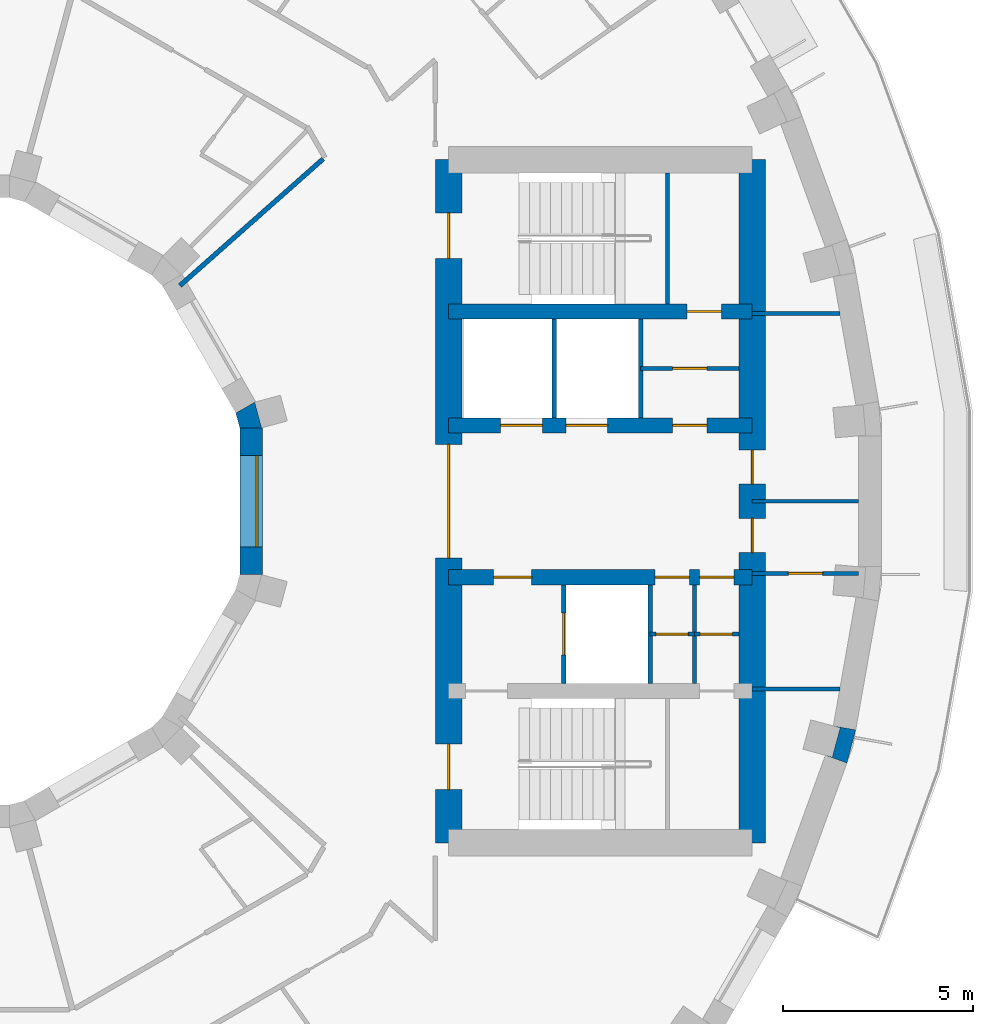
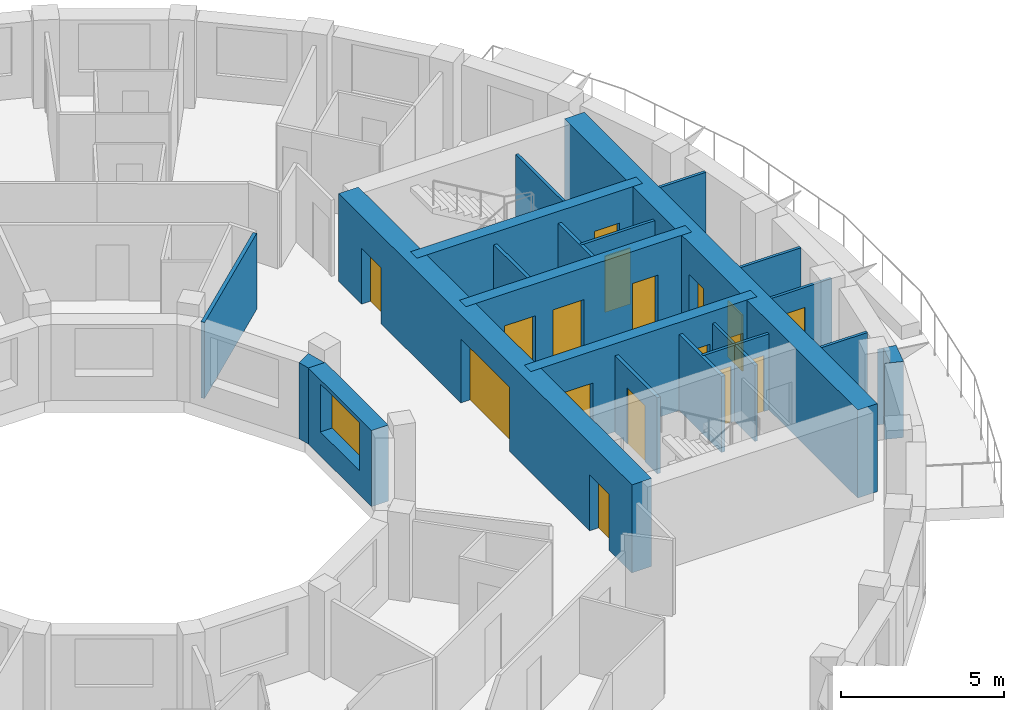
# One storey, part 6 of 11: 22 walls, 17 doors, 1 window, 18 openings.
"""IFC4 building model written with IfcOpenShell, lengths in metres."""

from ifc_helpers import new_model, si_unit, direction, frame, frame_2d, origin, place, context, subcontext, project, spatial, polyline, rectangle, outline, extrude, material, layer, layer_set, type_object, element, fill, save


model = new_model("IFC4")

# Units and contexts
model_context = context("Model", 3, precision=1e-05, world=origin(), true_north=direction((0.0, 1.0)))
body_context = subcontext(model_context, "Body", "Model", "MODEL_VIEW")
ifc_project = project(units=[si_unit("LENGTHUNIT", "METRE"), si_unit("AREAUNIT", "SQUARE_METRE"), si_unit("VOLUMEUNIT", "CUBIC_METRE"), si_unit("PLANEANGLEUNIT", "RADIAN"), si_unit("MASSUNIT", "GRAM", prefix="KILO")], contexts=[model_context])

# Site, building, storey
site_placement = place(None, origin())
site = spatial("IfcSite", under=ifc_project, at=site_placement, CompositionType="ELEMENT")
building_placement = place(site_placement, origin())
building = spatial("IfcBuilding", under=site, at=building_placement, Name="Saqina Gate Tower", CompositionType="ELEMENT")
storey_placement = place(building_placement, frame((0.0, 0.0, 180.60009765625)))
storey = spatial("IfcBuildingStorey", under=building, at=storey_placement, Name="L51", CompositionType="ELEMENT", Elevation=180.60009765625)

# Walls
ifc_material_1 = material(Name="Brick masonry (buff)", Category="masonry")
wall_type_1 = type_object("IfcWallType", Name="BRICK PIER COPING BUFF", PredefinedType="SOLIDWALL", material=ifc_material_1)
wall_1_placement = place(storey_placement, origin())
element("IfcWall", 1, at=wall_1_placement, inside=storey, type_object=wall_type_1, Name="Pier cap L51 column 35", PredefinedType="SOLIDWALL", context=body_context, shape_type="SweptSolid", body=[
    extrude(outline(polyline([(24.22705078125, -6.0234375), (23.635986328125, -5.919189453125), (23.81689453125, -5.967529296875), (23.610107421875, -6.740478515625), (23.428955078125, -6.69189453125), (23.992919921875, -6.897216796875), (24.22705078125, -6.0234375)])), origin(), (0.0, 0.0, 1.0), 2.849853515625),
])
ifc_material_2 = material(Name="Gypsum board on steel studs", Category="steel")
ifc_layer_1 = layer(ifc_material_2, 0.10009765625)
ifc_layer_set_1 = layer_set([ifc_layer_1], Name="CORE PARTITION")
wall_type_2 = type_object("IfcWallType", Name="CORE PARTITION", PredefinedType="PARTITIONING", material=ifc_layer_set_1)
for number, where, z_axis, x_axis, name in (
    (2, (21.5, 4.949951171875, 0.0), (0.0, 0.0, 1.0), (1.0, 0.0, 0.0), "L51-CP-E01"),
    (3, (21.5, -4.949951171875, 0.0), (0.0, 0.0, 1.0), (1.0, 0.0, 0.0), "L51-CP-E02"),
):
    element("IfcWall", number, at=place(storey_placement, frame(where, z_axis=z_axis, x_axis=x_axis)), inside=storey, type_object=wall_type_2, Name=name, PredefinedType="PARTITIONING", context=body_context, shape_type="SweptSolid", body=[
        extrude(rectangle(XDim=2.306884765625, YDim=0.10009765625, at=frame_2d((1.1533203125, 0.0))), origin(), (0.0, 0.0, 1.0), 2.849853515625),
    ])

# Wall, opening, door
wall_2_placement = place(storey_placement, frame((21.5, -1.89990234375, 0.0), z_axis=(0.0, 0.0, 1.0), x_axis=(1.0, 0.0, 0.0)))
wall_2 = element("IfcWall", 4, at=wall_2_placement, inside=storey, type_object=wall_type_2, Name="L51-CP-E03", PredefinedType="PARTITIONING", context=body_context, shape_type="SweptSolid", body=[
    extrude(rectangle(XDim=2.804931640625, YDim=0.10009765625, at=frame_2d((1.40234375, 0.0))), origin(), (0.0, 0.0, 1.0), 2.849853515625),
])
opening_1_placement = place(wall_2_placement, frame((0.952392578125, 0.0, 0.0)))
opening_1 = element("IfcOpeningElement", 5, at=opening_1_placement, cuts=wall_2, Name="Opening G15-D95", PredefinedType="OPENING", context=body_context, shape_type="SweptSolid", body=[
    extrude(rectangle(XDim=0.89990234375, YDim=2.10009765625, at=frame_2d((0.449951171875, 1.050048828125))), frame((0.0, 0.06201171875, 0.0), z_axis=(0.0, -1.0, 0.0), x_axis=(1.0, 0.0, 0.0)), (0.0, 0.0, 1.0), 0.1240234375),
])
ifc_material_3 = material(Name="Steel-framed fire door leaf, EI 60", Category="steel")
door_type_1 = type_object("IfcDoorType", Name="SERVICE ROOM DOOR 900", OperationType="SINGLE_SWING_LEFT", PredefinedType="DOOR", material=ifc_material_3)
door_1_placement = place(opening_1_placement, frame((0.89990234375, 0.0, 0.0), z_axis=(0.0, 0.0, 1.0), x_axis=(-1.0, 0.0, 0.0)))
door_1 = element("IfcDoor", 6, at=door_1_placement, inside=storey, type_object=door_type_1, Name="L51-CD-E06", OperationType="SINGLE_SWING_RIGHT", OverallHeight=2.10009765625, OverallWidth=0.89990234375, PredefinedType="DOOR", context=body_context, shape_type="SweptSolid", body=[
    extrude(rectangle(XDim=0.89990234375, YDim=2.10009765625, at=frame_2d((0.449951171875, 1.050048828125))), frame((0.0, 0.02490234375, 0.0), z_axis=(0.0, -1.0, 0.0), x_axis=(1.0, 0.0, 0.0)), (0.0, 0.0, 1.0), 0.050048828125),
])
fill(opening_1, door_1)

# Walls
wall_3_placement = place(storey_placement, frame((21.5, 0.0, 0.0), z_axis=(0.0, 0.0, 1.0), x_axis=(1.0, 0.0, 0.0)))
element("IfcWall", 7, at=wall_3_placement, inside=storey, type_object=wall_type_2, Name="L51-CP-E04", PredefinedType="PARTITIONING", context=body_context, shape_type="SweptSolid", body=[
    extrude(rectangle(XDim=2.804931640625, YDim=0.10009765625, at=frame_2d((1.40234375, 0.0))), origin(), (0.0, 0.0, 1.0), 2.849853515625),
])
wall_4_placement = place(storey_placement, frame((19.97998046875, -4.800048828125, 0.0), z_axis=(0.0, 0.0, 1.0), x_axis=(0.0, 1.0, 0.0)))
element("IfcWall", 8, at=wall_4_placement, inside=storey, type_object=wall_type_2, Name="L51-CP-E09", PredefinedType="PARTITIONING", context=body_context, shape_type="SweptSolid", body=[
    extrude(rectangle(XDim=2.60009765625, YDim=0.10009765625, at=frame_2d((1.300048828125, 0.0))), origin(), (0.0, 0.0, 1.0), 2.849853515625),
])

# Wall, opening, door
wall_5_placement = place(storey_placement, frame((18.56005859375, 3.5, 0.0), z_axis=(0.0, 0.0, 1.0), x_axis=(1.0, 0.0, 0.0)))
wall_5 = element("IfcWall", 9, at=wall_5_placement, inside=storey, type_object=wall_type_2, Name="L51-CP-E10", PredefinedType="PARTITIONING", context=body_context, shape_type="SweptSolid", body=[
    extrude(rectangle(XDim=2.58984375, YDim=0.10009765625, at=frame_2d((1.294921875, 0.0))), origin(), (0.0, 0.0, 1.0), 2.849853515625),
])
opening_2_placement = place(wall_5_placement, frame((0.844970703125, 0.0, 0.0)))
opening_2 = element("IfcOpeningElement", 10, at=opening_2_placement, cuts=wall_5, Name="Opening G15-D97", PredefinedType="OPENING", context=body_context, shape_type="SweptSolid", body=[
    extrude(rectangle(XDim=0.89990234375, YDim=2.10009765625, at=frame_2d((0.449951171875, 1.050048828125))), frame((0.0, 0.06201171875, 0.0), z_axis=(0.0, -1.0, 0.0), x_axis=(1.0, 0.0, 0.0)), (0.0, 0.0, 1.0), 0.1240234375),
])
door_2_placement = place(opening_2_placement, origin())
door_2 = element("IfcDoor", 11, at=door_2_placement, inside=storey, type_object=door_type_1, Name="L51-CD-E08", OperationType="SINGLE_SWING_RIGHT", OverallHeight=2.10009765625, OverallWidth=0.89990234375, PredefinedType="DOOR", context=body_context, shape_type="SweptSolid", body=[
    extrude(rectangle(XDim=0.89990234375, YDim=2.10009765625, at=frame_2d((0.449951171875, 1.050048828125))), frame((0.0, 0.02490234375, 0.0), z_axis=(0.0, -1.0, 0.0), x_axis=(1.0, 0.0, 0.0)), (0.0, 0.0, 1.0), 0.050048828125),
])
fill(opening_2, door_2)

wall_6_placement = place(storey_placement, frame((18.81005859375, -3.5, 0.0), z_axis=(0.0, 0.0, 1.0), x_axis=(1.0, 0.0, 0.0)))
wall_6 = element("IfcWall", 12, at=wall_6_placement, inside=storey, type_object=wall_type_2, Name="L51-CP-E11", PredefinedType="PARTITIONING", context=body_context, shape_type="SweptSolid", body=[
    extrude(rectangle(XDim=1.169921875, YDim=0.10009765625, at=frame_2d((0.5849609375, 0.0))), origin(), (0.0, 0.0, 1.0), 2.849853515625),
])
opening_3_placement = place(wall_6_placement, frame((0.14990234375, 0.0, 0.0)))
opening_3 = element("IfcOpeningElement", 13, at=opening_3_placement, cuts=wall_6, Name="Opening G15-D99", PredefinedType="OPENING", context=body_context, shape_type="SweptSolid", body=[
    extrude(rectangle(XDim=0.85009765625, YDim=2.10009765625, at=frame_2d((0.425048828125, 1.050048828125))), frame((0.0, 0.06201171875, 0.0), z_axis=(0.0, -1.0, 0.0), x_axis=(1.0, 0.0, 0.0)), (0.0, 0.0, 1.0), 0.1240234375),
])
ifc_material_4 = material(Name="Steel-framed fire door leaf, EI 60", Category="steel")
door_type_2 = type_object("IfcDoorType", Name="SERVICE ROOM DOOR 850", OperationType="SINGLE_SWING_LEFT", PredefinedType="DOOR", material=ifc_material_4)
door_3_placement = place(opening_3_placement, frame((0.85009765625, 0.0, 0.0), z_axis=(0.0, 0.0, 1.0), x_axis=(-1.0, 0.0, 0.0)))
door_3 = element("IfcDoor", 14, at=door_3_placement, inside=storey, type_object=door_type_2, Name="L51-CD-E10", OperationType="SINGLE_SWING_RIGHT", OverallHeight=2.10009765625, OverallWidth=0.85009765625, PredefinedType="DOOR", context=body_context, shape_type="SweptSolid", body=[
    extrude(rectangle(XDim=0.85009765625, YDim=2.10009765625, at=frame_2d((0.425048828125, 1.050048828125))), frame((0.0, 0.02490234375, 0.0), z_axis=(0.0, -1.0, 0.0), x_axis=(1.0, 0.0, 0.0)), (0.0, 0.0, 1.0), 0.050048828125),
])
fill(opening_3, door_3)

wall_7_placement = place(storey_placement, frame((19.97998046875, -3.5, 0.0), z_axis=(0.0, 0.0, 1.0), x_axis=(1.0, 0.0, 0.0)))
wall_7 = element("IfcWall", 15, at=wall_7_placement, inside=storey, type_object=wall_type_2, Name="L51-CP-E12", PredefinedType="PARTITIONING", context=body_context, shape_type="SweptSolid", body=[
    extrude(rectangle(XDim=1.169921875, YDim=0.10009765625, at=frame_2d((0.5849609375, 0.0))), origin(), (0.0, 0.0, 1.0), 2.849853515625),
])
opening_4_placement = place(wall_7_placement, frame((0.14990234375, 0.0, 0.0)))
opening_4 = element("IfcOpeningElement", 16, at=opening_4_placement, cuts=wall_7, Name="Opening G15-D100", PredefinedType="OPENING", context=body_context, shape_type="SweptSolid", body=[
    extrude(rectangle(XDim=0.85009765625, YDim=2.10009765625, at=frame_2d((0.425048828125, 1.050048828125))), frame((0.0, 0.06201171875, 0.0), z_axis=(0.0, -1.0, 0.0), x_axis=(1.0, 0.0, 0.0)), (0.0, 0.0, 1.0), 0.1240234375),
])
door_4_placement = place(opening_4_placement, frame((0.85009765625, 0.0, 0.0), z_axis=(0.0, 0.0, 1.0), x_axis=(-1.0, 0.0, 0.0)))
door_4 = element("IfcDoor", 17, at=door_4_placement, inside=storey, type_object=door_type_2, Name="L51-CD-E11", OperationType="SINGLE_SWING_LEFT", OverallHeight=2.10009765625, OverallWidth=0.85009765625, PredefinedType="DOOR", context=body_context, shape_type="SweptSolid", body=[
    extrude(rectangle(XDim=0.85009765625, YDim=2.10009765625, at=frame_2d((0.425048828125, 1.050048828125))), frame((0.0, 0.02490234375, 0.0), z_axis=(0.0, -1.0, 0.0), x_axis=(1.0, 0.0, 0.0)), (0.0, 0.0, 1.0), 0.050048828125),
])
fill(opening_4, door_4)

# Wall, opening, window
ifc_material_5 = material(Name="Glazed ceramic tile", Category="ceramic")
ifc_layer_2 = layer(ifc_material_5, 0.60009765625)
ifc_layer_set_2 = layer_set([ifc_layer_2], Name="IW-TILE")
wall_type_3 = type_object("IfcWallType", Name="IW-TILE", PredefinedType="SOLIDWALL", material=ifc_layer_set_2)
wall_8_placement = place(storey_placement, frame((8.300048828125, -1.934814453125, 0.0), z_axis=(0.0, 0.0, 1.0), x_axis=(0.0, 1.0, 0.0)))
wall_8 = element("IfcWall", 18, at=wall_8_placement, inside=storey, type_object=wall_type_3, Name="Well wall L51 facet 12", PredefinedType="SOLIDWALL", context=body_context, shape_type="SweptSolid", body=[
    extrude(rectangle(XDim=3.86962890625, YDim=0.60009765625, at=frame_2d((1.934814453125, 0.0))), origin(), (0.0, 0.0, 1.0), 2.849853515625),
])
opening_5_placement = place(wall_8_placement, frame((0.73486328125, 0.0, 0.89990234375)))
opening_5 = element("IfcOpeningElement", 19, at=opening_5_placement, cuts=wall_8, Name="Opening G15-W37", PredefinedType="OPENING", context=body_context, shape_type="SweptSolid", body=[
    extrude(rectangle(XDim=2.39990234375, YDim=1.800048828125, at=frame_2d((1.199951171875, 0.89990234375))), frame((0.0, 0.31201171875, 0.0), z_axis=(0.0, -1.0, 0.0), x_axis=(1.0, 0.0, 0.0)), (0.0, 0.0, 1.0), 0.6240234375),
])
ifc_material_6 = material(Name="Aluminium glazing", Category="aluminium")
window_type = type_object("IfcWindowType", Name="WN-W", PartitioningType="SINGLE_PANEL", PredefinedType="WINDOW", material=ifc_material_6)
window_placement = place(opening_5_placement, origin())
window = element("IfcWindow", 20, at=window_placement, inside=storey, type_object=window_type, Name="Well window L51 facet 12", OverallHeight=1.800048828125, OverallWidth=2.39990234375, PartitioningType="SINGLE_PANEL", PredefinedType="WINDOW", context=body_context, shape_type="SweptSolid", body=[
    extrude(rectangle(XDim=2.39990234375, YDim=1.800048828125, at=frame_2d((1.199951171875, 0.89990234375))), frame((0.0, -0.119873046875, 0.0), z_axis=(0.0, -1.0, 0.0), x_axis=(1.0, 0.0, 0.0)), (0.0, 0.0, 1.0), 0.06005859375),
])
fill(opening_5, window)

# Walls
ifc_material_7 = material(Name="Gypsum board on steel studs, 125 mm, fire rated", Category="steel")
ifc_layer_3 = layer(ifc_material_7, 0.125)
ifc_layer_set_3 = layer_set([ifc_layer_3], Name="PARTITION EI 30 125")
wall_type_4 = type_object("IfcWallType", Name="PARTITION EI 30 125", PredefinedType="PARTITIONING", material=ifc_layer_set_3)
wall_9_placement = place(storey_placement, frame((6.419921875, 5.679931640625, 0.0), z_axis=(0.0, 0.0, 1.0), x_axis=(0.74896790207, 0.662606279527, 0.0)))
element("IfcWall", 21, at=wall_9_placement, inside=storey, type_object=wall_type_4, Name="PARTITION PW1-32", PredefinedType="PARTITIONING", context=body_context, shape_type="SweptSolid", body=[
    extrude(rectangle(XDim=5.04052734375, YDim=0.125, at=frame_2d((2.520263671875, 0.0))), origin(), (0.0, 0.0, 1.0), 2.849853515625),
])
ifc_material_8 = material(Name="Autoclaved aerated concrete block", Category="concrete")
ifc_layer_4 = layer(ifc_material_8, 0.1201171875)
ifc_layer_set_4 = layer_set([ifc_layer_4], Name="SHAFT PARTITION")
wall_type_5 = type_object("IfcWallType", Name="SHAFT PARTITION", PredefinedType="PARTITIONING", material=ifc_layer_set_4)
for number, where, z_axis, x_axis, name in (
    (22, (16.280029296875, 2.199951171875, 0.0), (0.0, 0.0, 1.0), (0.0, 1.0, 0.0), "L51-CP-E05"),
    (23, (18.56005859375, 2.199951171875, 0.0), (0.0, 0.0, 1.0), (0.0, 1.0, 0.0), "L51-CP-E06"),
):
    element("IfcWall", number, at=place(storey_placement, frame(where, z_axis=z_axis, x_axis=x_axis)), inside=storey, type_object=wall_type_5, Name=name, PredefinedType="PARTITIONING", context=body_context, shape_type="SweptSolid", body=[
        extrude(rectangle(XDim=2.60009765625, YDim=0.1201171875, at=frame_2d((1.300048828125, 0.0))), origin(), (0.0, 0.0, 1.0), 2.849853515625),
    ])

# Wall, opening, door
wall_10_placement = place(storey_placement, frame((16.530029296875, -4.800048828125, 0.0), z_axis=(0.0, 0.0, 1.0), x_axis=(0.0, 1.0, 0.0)))
wall_10 = element("IfcWall", 24, at=wall_10_placement, inside=storey, type_object=wall_type_5, Name="L51-CP-E07", PredefinedType="PARTITIONING", context=body_context, shape_type="SweptSolid", body=[
    extrude(rectangle(XDim=2.60009765625, YDim=0.1201171875, at=frame_2d((1.300048828125, 0.0))), origin(), (0.0, 0.0, 1.0), 2.849853515625),
])
opening_6_placement = place(wall_10_placement, frame((0.75, 0.0, 0.0)))
opening_6 = element("IfcOpeningElement", 25, at=opening_6_placement, cuts=wall_10, Name="Opening G15-LD3", PredefinedType="OPENING", context=body_context, shape_type="SweptSolid", body=[
    extrude(rectangle(XDim=1.10009765625, YDim=2.10009765625, at=frame_2d((0.550048828125, 1.050048828125))), frame((0.0, 0.072021484375, 0.0), z_axis=(0.0, -1.0, 0.0), x_axis=(1.0, 0.0, 0.0)), (0.0, 0.0, 1.0), 0.14404296875),
])
ifc_material_9 = material(Name="Stainless steel", Category="steel")
door_type_3 = type_object("IfcDoorType", Name="LANDING DOOR", OperationType="DOUBLE_DOOR_SLIDING", PredefinedType="DOOR", material=ifc_material_9)
door_5_placement = place(opening_6_placement, origin())
door_5 = element("IfcDoor", 26, at=door_5_placement, inside=storey, type_object=door_type_3, Name="LANDING DOOR FF1", OperationType="DOUBLE_DOOR_SLIDING", OverallHeight=2.10009765625, OverallWidth=1.10009765625, PredefinedType="DOOR", context=body_context, shape_type="SweptSolid", body=[
    extrude(rectangle(XDim=1.10009765625, YDim=2.10009765625, at=frame_2d((0.550048828125, 1.050048828125))), frame((0.0, 0.02490234375, 0.0), z_axis=(0.0, -1.0, 0.0), x_axis=(1.0, 0.0, 0.0)), (0.0, 0.0, 1.0), 0.050048828125),
])
fill(opening_6, door_5)

# Walls
wall_11_placement = place(storey_placement, frame((18.81005859375, -4.800048828125, 0.0), z_axis=(0.0, 0.0, 1.0), x_axis=(0.0, 1.0, 0.0)))
element("IfcWall", 27, at=wall_11_placement, inside=storey, type_object=wall_type_5, Name="L51-CP-E08", PredefinedType="PARTITIONING", context=body_context, shape_type="SweptSolid", body=[
    extrude(rectangle(XDim=2.60009765625, YDim=0.1201171875, at=frame_2d((1.300048828125, 0.0))), origin(), (0.0, 0.0, 1.0), 2.849853515625),
])
ifc_material_10 = material(Name="Autoclaved aerated concrete block", Category="concrete")
ifc_layer_5 = layer(ifc_material_10, 0.10009765625)
ifc_layer_set_5 = layer_set([ifc_layer_5], Name="STAIR ENCLOSURE WALL")
wall_type_6 = type_object("IfcWallType", Name="STAIR ENCLOSURE WALL", PredefinedType="PARTITIONING", material=ifc_layer_set_5)
wall_12_placement = place(storey_placement, frame((19.27001953125, 5.199951171875, 0.0), z_axis=(0.0, 0.0, 1.0), x_axis=(0.0, 1.0, 0.0)))
element("IfcWall", 28, at=wall_12_placement, inside=storey, type_object=wall_type_6, Name="L51-CP-E13", PredefinedType="PARTITIONING", context=body_context, shape_type="SweptSolid", body=[
    extrude(rectangle(XDim=3.449951171875, YDim=0.10009765625, at=frame_2d((1.72509765625, 0.0))), origin(), (0.0, 0.0, 1.0), 2.849853515625),
])

# Wall, opening, door
ifc_material_11 = material(Name="Concrete C60/75", Category="concrete")
ifc_layer_6 = layer(ifc_material_11, 0.39990234375)
ifc_layer_set_6 = layer_set([ifc_layer_6], Name="Concrete C60/75")
wall_type_7 = type_object("IfcWallType", Name="STR-CORE WALL-C-I", PredefinedType="SHEAR", material=ifc_layer_set_6)
wall_13_placement = place(storey_placement, frame((13.5, 5.0, 0.0), z_axis=(0.0, 0.0, 1.0), x_axis=(1.0, 0.0, 0.0)))
wall_13 = element("IfcWall", 29, at=wall_13_placement, inside=storey, type_object=wall_type_7, Name="CORE WALL L51 E-X1", PredefinedType="SHEAR", context=body_context, shape_type="SweptSolid", body=[
    extrude(rectangle(XDim=8.0, YDim=0.39990234375, at=frame_2d((4.0, 0.0))), origin(), (0.0, 0.0, 1.0), 3.2998046875),
])
opening_7_placement = place(wall_13_placement, frame((6.284912109375, 0.0, 0.0)))
opening_7 = element("IfcOpeningElement", 30, at=opening_7_placement, cuts=wall_13, Name="Opening G15-D98", PredefinedType="OPENING", context=body_context, shape_type="SweptSolid", body=[
    extrude(rectangle(XDim=0.89990234375, YDim=2.10009765625, at=frame_2d((0.449951171875, 1.050048828125))), frame((0.0, 0.2119140625, 0.0), z_axis=(0.0, -1.0, 0.0), x_axis=(1.0, 0.0, 0.0)), (0.0, 0.0, 1.0), 0.423828125),
])
door_6_placement = place(opening_7_placement, origin())
door_6 = element("IfcDoor", 31, at=door_6_placement, inside=storey, type_object=door_type_1, Name="L51-CD-E09", OperationType="SINGLE_SWING_RIGHT", OverallHeight=2.10009765625, OverallWidth=0.89990234375, PredefinedType="DOOR", context=body_context, shape_type="SweptSolid", body=[
    extrude(rectangle(XDim=0.89990234375, YDim=2.10009765625, at=frame_2d((0.449951171875, 1.050048828125))), frame((0.0, 0.02490234375, 0.0), z_axis=(0.0, -1.0, 0.0), x_axis=(1.0, 0.0, 0.0)), (0.0, 0.0, 1.0), 0.050048828125),
])
fill(opening_7, door_6)

# Wall, openings, doors
wall_14_placement = place(storey_placement, frame((13.5, 2.0, 0.0), z_axis=(0.0, 0.0, 1.0), x_axis=(1.0, 0.0, 0.0)))
wall_14 = element("IfcWall", 32, at=wall_14_placement, inside=storey, type_object=wall_type_7, Name="CORE WALL L51 E-L1", PredefinedType="SHEAR", context=body_context, shape_type="SweptSolid", body=[
    extrude(rectangle(XDim=8.0, YDim=0.39990234375, at=frame_2d((4.0, 0.0))), origin(), (0.0, 0.0, 1.0), 3.2998046875),
])
opening_8_placement = place(wall_14_placement, frame((1.3701171875, 0.0, 0.0)))
opening_8 = element("IfcOpeningElement", 33, at=opening_8_placement, cuts=wall_14, Name="Opening G15-LD1", PredefinedType="OPENING", context=body_context, shape_type="SweptSolid", body=[
    extrude(rectangle(XDim=1.10009765625, YDim=2.10009765625, at=frame_2d((0.550048828125, 1.050048828125))), frame((0.0, 0.2119140625, 0.0), z_axis=(0.0, -1.0, 0.0), x_axis=(1.0, 0.0, 0.0)), (0.0, 0.0, 1.0), 0.423828125),
])
opening_9_placement = place(wall_14_placement, frame((3.090087890625, 0.0, 0.0)))
opening_9 = element("IfcOpeningElement", 34, at=opening_9_placement, cuts=wall_14, Name="Opening G15-LD2", PredefinedType="OPENING", context=body_context, shape_type="SweptSolid", body=[
    extrude(rectangle(XDim=1.10009765625, YDim=2.10009765625, at=frame_2d((0.550048828125, 1.050048828125))), frame((0.0, 0.2119140625, 0.0), z_axis=(0.0, -1.0, 0.0), x_axis=(1.0, 0.0, 0.0)), (0.0, 0.0, 1.0), 0.423828125),
])
opening_10_placement = place(wall_14_placement, frame((5.905029296875, 0.0, 0.0)))
opening_10 = element("IfcOpeningElement", 35, at=opening_10_placement, cuts=wall_14, Name="Opening G15-D90", PredefinedType="OPENING", context=body_context, shape_type="SweptSolid", body=[
    extrude(rectangle(XDim=0.89990234375, YDim=2.10009765625, at=frame_2d((0.449951171875, 1.050048828125))), frame((0.0, 0.2119140625, 0.0), z_axis=(0.0, -1.0, 0.0), x_axis=(1.0, 0.0, 0.0)), (0.0, 0.0, 1.0), 0.423828125),
])
door_7_placement = place(opening_8_placement, origin())
door_7 = element("IfcDoor", 36, at=door_7_placement, inside=storey, type_object=door_type_3, Name="LANDING DOOR HR1", OperationType="DOUBLE_DOOR_SLIDING", OverallHeight=2.10009765625, OverallWidth=1.10009765625, PredefinedType="DOOR", context=body_context, shape_type="SweptSolid", body=[
    extrude(rectangle(XDim=1.10009765625, YDim=2.10009765625, at=frame_2d((0.550048828125, 1.050048828125))), frame((0.0, 0.02490234375, 0.0), z_axis=(0.0, -1.0, 0.0), x_axis=(1.0, 0.0, 0.0)), (0.0, 0.0, 1.0), 0.050048828125),
])
fill(opening_8, door_7)
door_8_placement = place(opening_9_placement, origin())
door_8 = element("IfcDoor", 37, at=door_8_placement, inside=storey, type_object=door_type_3, Name="LANDING DOOR HR2", OperationType="DOUBLE_DOOR_SLIDING", OverallHeight=2.10009765625, OverallWidth=1.10009765625, PredefinedType="DOOR", context=body_context, shape_type="SweptSolid", body=[
    extrude(rectangle(XDim=1.10009765625, YDim=2.10009765625, at=frame_2d((0.550048828125, 1.050048828125))), frame((0.0, 0.02490234375, 0.0), z_axis=(0.0, -1.0, 0.0), x_axis=(1.0, 0.0, 0.0)), (0.0, 0.0, 1.0), 0.050048828125),
])
fill(opening_9, door_8)
door_9_placement = place(opening_10_placement, origin())
door_9 = element("IfcDoor", 38, at=door_9_placement, inside=storey, type_object=door_type_1, Name="L51-CD-E01", OperationType="SINGLE_SWING_RIGHT", OverallHeight=2.10009765625, OverallWidth=0.89990234375, PredefinedType="DOOR", context=body_context, shape_type="SweptSolid", body=[
    extrude(rectangle(XDim=0.89990234375, YDim=2.10009765625, at=frame_2d((0.449951171875, 1.050048828125))), frame((0.0, 0.02490234375, 0.0), z_axis=(0.0, -1.0, 0.0), x_axis=(1.0, 0.0, 0.0)), (0.0, 0.0, 1.0), 0.050048828125),
])
fill(opening_10, door_9)

wall_15_placement = place(storey_placement, frame((13.5, -2.0, 0.0), z_axis=(0.0, 0.0, 1.0), x_axis=(1.0, 0.0, 0.0)))
wall_15 = element("IfcWall", 39, at=wall_15_placement, inside=storey, type_object=wall_type_7, Name="CORE WALL L51 E-L2", PredefinedType="SHEAR", context=body_context, shape_type="SweptSolid", body=[
    extrude(rectangle(XDim=8.0, YDim=0.39990234375, at=frame_2d((4.0, 0.0))), origin(), (0.0, 0.0, 1.0), 3.2998046875),
])
opening_11_placement = place(wall_15_placement, frame((1.18994140625, 0.0, 0.0)))
opening_11 = element("IfcOpeningElement", 40, at=opening_11_placement, cuts=wall_15, Name="Opening G15-D91", PredefinedType="OPENING", context=body_context, shape_type="SweptSolid", body=[
    extrude(rectangle(XDim=1.0, YDim=2.10009765625, at=frame_2d((0.5, 1.050048828125))), frame((0.0, 0.2119140625, 0.0), z_axis=(0.0, -1.0, 0.0), x_axis=(1.0, 0.0, 0.0)), (0.0, 0.0, 1.0), 0.423828125),
])
opening_12_placement = place(wall_15_placement, frame((5.445068359375, 0.0, 0.0)))
opening_12 = element("IfcOpeningElement", 41, at=opening_12_placement, cuts=wall_15, Name="Opening G15-D92", PredefinedType="OPENING", context=body_context, shape_type="SweptSolid", body=[
    extrude(rectangle(XDim=0.89990234375, YDim=2.10009765625, at=frame_2d((0.449951171875, 1.050048828125))), frame((0.0, 0.2119140625, 0.0), z_axis=(0.0, -1.0, 0.0), x_axis=(1.0, 0.0, 0.0)), (0.0, 0.0, 1.0), 0.423828125),
])
opening_13_placement = place(wall_15_placement, frame((6.614990234375, 0.0, 0.0)))
opening_13 = element("IfcOpeningElement", 42, at=opening_13_placement, cuts=wall_15, Name="Opening G15-D93", PredefinedType="OPENING", context=body_context, shape_type="SweptSolid", body=[
    extrude(rectangle(XDim=0.89990234375, YDim=2.10009765625, at=frame_2d((0.449951171875, 1.050048828125))), frame((0.0, 0.2119140625, 0.0), z_axis=(0.0, -1.0, 0.0), x_axis=(1.0, 0.0, 0.0)), (0.0, 0.0, 1.0), 0.423828125),
])
ifc_material_12 = material(Name="Steel", Category="steel")
door_type_4 = type_object("IfcDoorType", Name="FIRE LOBBY DOOR EI 60", OperationType="SINGLE_SWING_LEFT", PredefinedType="DOOR", material=ifc_material_12)
door_10_placement = place(opening_11_placement, origin())
door_10 = element("IfcDoor", 43, at=door_10_placement, inside=storey, type_object=door_type_4, Name="L51-CD-E02", OperationType="SINGLE_SWING_LEFT", OverallHeight=2.10009765625, OverallWidth=1.0, PredefinedType="DOOR", context=body_context, shape_type="SweptSolid", body=[
    extrude(rectangle(XDim=1.0, YDim=2.10009765625, at=frame_2d((0.5, 1.050048828125))), frame((0.0, 0.02490234375, 0.0), z_axis=(0.0, -1.0, 0.0), x_axis=(1.0, 0.0, 0.0)), (0.0, 0.0, 1.0), 0.050048828125),
])
fill(opening_11, door_10)
door_11_placement = place(opening_12_placement, frame((0.89990234375, 0.0, 0.0), z_axis=(0.0, 0.0, 1.0), x_axis=(-1.0, 0.0, 0.0)))
door_11 = element("IfcDoor", 44, at=door_11_placement, inside=storey, type_object=door_type_1, Name="L51-CD-E03", OperationType="SINGLE_SWING_RIGHT", OverallHeight=2.10009765625, OverallWidth=0.89990234375, PredefinedType="DOOR", context=body_context, shape_type="SweptSolid", body=[
    extrude(rectangle(XDim=0.89990234375, YDim=2.10009765625, at=frame_2d((0.449951171875, 1.050048828125))), frame((0.0, 0.02490234375, 0.0), z_axis=(0.0, -1.0, 0.0), x_axis=(1.0, 0.0, 0.0)), (0.0, 0.0, 1.0), 0.050048828125),
])
fill(opening_12, door_11)
door_12_placement = place(opening_13_placement, frame((0.89990234375, 0.0, 0.0), z_axis=(0.0, 0.0, 1.0), x_axis=(-1.0, 0.0, 0.0)))
door_12 = element("IfcDoor", 45, at=door_12_placement, inside=storey, type_object=door_type_1, Name="L51-CD-E04", OperationType="SINGLE_SWING_LEFT", OverallHeight=2.10009765625, OverallWidth=0.89990234375, PredefinedType="DOOR", context=body_context, shape_type="SweptSolid", body=[
    extrude(rectangle(XDim=0.89990234375, YDim=2.10009765625, at=frame_2d((0.449951171875, 1.050048828125))), frame((0.0, 0.02490234375, 0.0), z_axis=(0.0, -1.0, 0.0), x_axis=(1.0, 0.0, 0.0)), (0.0, 0.0, 1.0), 0.050048828125),
])
fill(opening_13, door_12)

ifc_material_13 = material(Name="Concrete C60/75", Category="concrete")
ifc_layer_7 = layer(ifc_material_13, 0.699951171875)
ifc_layer_set_7 = layer_set([ifc_layer_7], Name="Concrete C60/75")
wall_type_8 = type_object("IfcWallType", Name="STR-CORE WALL-C-O", PredefinedType="SHEAR", material=ifc_layer_set_7)
wall_16_placement = place(storey_placement, frame((13.5, -9.0, 0.0), z_axis=(0.0, 0.0, 1.0), x_axis=(0.0, 1.0, 0.0)))
wall_16 = element("IfcWall", 46, at=wall_16_placement, inside=storey, type_object=wall_type_8, Name="CORE WALL L51 E-W1", PredefinedType="SHEAR", context=body_context, shape_type="SweptSolid", body=[
    extrude(rectangle(XDim=18.0, YDim=0.699951171875, at=frame_2d((9.0, 0.0))), origin(), (0.0, 0.0, 1.0), 3.2998046875),
])
opening_14_placement = place(wall_16_placement, frame((15.39990234375, 0.0, 0.0)))
opening_14 = element("IfcOpeningElement", 47, at=opening_14_placement, cuts=wall_16, Name="Opening G15-D103", PredefinedType="OPENING", context=body_context, shape_type="SweptSolid", body=[
    extrude(rectangle(XDim=1.199951171875, YDim=2.10009765625, at=frame_2d((0.60009765625, 1.050048828125))), frame((0.0, 0.362060546875, 0.0), z_axis=(0.0, -1.0, 0.0), x_axis=(1.0, 0.0, 0.0)), (0.0, 0.0, 1.0), 0.723876953125),
])
opening_15_placement = place(wall_16_placement, frame((1.39990234375, 0.0, 0.0)))
opening_15 = element("IfcOpeningElement", 48, at=opening_15_placement, cuts=wall_16, Name="Opening G15-D104", PredefinedType="OPENING", context=body_context, shape_type="SweptSolid", body=[
    extrude(rectangle(XDim=1.199951171875, YDim=2.10009765625, at=frame_2d((0.60009765625, 1.050048828125))), frame((0.0, 0.362060546875, 0.0), z_axis=(0.0, -1.0, 0.0), x_axis=(1.0, 0.0, 0.0)), (0.0, 0.0, 1.0), 0.723876953125),
])
opening_16_placement = place(wall_16_placement, frame((7.5, 0.0, 0.0)))
opening_16 = element("IfcOpeningElement", 49, at=opening_16_placement, cuts=wall_16, Name="Opening G15-D105", PredefinedType="OPENING", context=body_context, shape_type="SweptSolid", body=[
    extrude(rectangle(XDim=3.0, YDim=2.39990234375, at=frame_2d((1.5, 1.199951171875))), frame((0.0, 0.362060546875, 0.0), z_axis=(0.0, -1.0, 0.0), x_axis=(1.0, 0.0, 0.0)), (0.0, 0.0, 1.0), 0.723876953125),
])
ifc_material_14 = material(Name="Steel", Category="steel")
door_type_5 = type_object("IfcDoorType", Name="FIRE DOOR EI 60", OperationType="SINGLE_SWING_LEFT", PredefinedType="DOOR", material=ifc_material_14)
door_13_placement = place(opening_14_placement, frame((1.199951171875, 0.0, 0.0), z_axis=(0.0, 0.0, 1.0), x_axis=(-1.0, 0.0, 0.0)))
door_13 = element("IfcDoor", 50, at=door_13_placement, inside=storey, type_object=door_type_5, Name="L51-CD-E14", OperationType="SINGLE_SWING_LEFT", OverallHeight=2.10009765625, OverallWidth=1.199951171875, PredefinedType="DOOR", context=body_context, shape_type="SweptSolid", body=[
    extrude(rectangle(XDim=1.199951171875, YDim=2.10009765625, at=frame_2d((0.60009765625, 1.050048828125))), frame((0.0, 0.02490234375, 0.0), z_axis=(0.0, -1.0, 0.0), x_axis=(1.0, 0.0, 0.0)), (0.0, 0.0, 1.0), 0.050048828125),
])
fill(opening_14, door_13)
door_14_placement = place(opening_15_placement, frame((1.199951171875, 0.0, 0.0), z_axis=(0.0, 0.0, 1.0), x_axis=(-1.0, 0.0, 0.0)))
door_14 = element("IfcDoor", 51, at=door_14_placement, inside=storey, type_object=door_type_5, Name="L51-CD-E15", OperationType="SINGLE_SWING_RIGHT", OverallHeight=2.10009765625, OverallWidth=1.199951171875, PredefinedType="DOOR", context=body_context, shape_type="SweptSolid", body=[
    extrude(rectangle(XDim=1.199951171875, YDim=2.10009765625, at=frame_2d((0.60009765625, 1.050048828125))), frame((0.0, 0.02490234375, 0.0), z_axis=(0.0, -1.0, 0.0), x_axis=(1.0, 0.0, 0.0)), (0.0, 0.0, 1.0), 0.050048828125),
])
fill(opening_15, door_14)
ifc_material_15 = material(Name="Steel and fire-resisting glass", Category="steel")
door_type_6 = type_object("IfcDoorType", Name="LOBBY SCREEN DOOR", OperationType="DOUBLE_DOOR_SLIDING", PredefinedType="DOOR", material=ifc_material_15)
door_15_placement = place(opening_16_placement, origin())
door_15 = element("IfcDoor", 52, at=door_15_placement, inside=storey, type_object=door_type_6, Name="L51-CD-E16", OperationType="DOUBLE_DOOR_SLIDING", OverallHeight=2.39990234375, OverallWidth=3.0, PredefinedType="DOOR", context=body_context, shape_type="SweptSolid", body=[
    extrude(rectangle(XDim=3.0, YDim=2.39990234375, at=frame_2d((1.5, 1.199951171875))), frame((0.0, 0.02490234375, 0.0), z_axis=(0.0, -1.0, 0.0), x_axis=(1.0, 0.0, 0.0)), (0.0, 0.0, 1.0), 0.050048828125),
])
fill(opening_16, door_15)

wall_17_placement = place(storey_placement, frame((21.5, -9.0, 0.0), z_axis=(0.0, 0.0, 1.0), x_axis=(0.0, 1.0, 0.0)))
wall_17 = element("IfcWall", 53, at=wall_17_placement, inside=storey, type_object=wall_type_8, Name="CORE WALL L51 E-W2", PredefinedType="SHEAR", context=body_context, shape_type="SweptSolid", body=[
    extrude(rectangle(XDim=18.0, YDim=0.699951171875, at=frame_2d((9.0, 0.0))), origin(), (0.0, 0.0, 1.0), 3.2998046875),
])
opening_17_placement = place(wall_17_placement, frame((9.449951171875, 0.0, 0.0)))
opening_17 = element("IfcOpeningElement", 54, at=opening_17_placement, cuts=wall_17, Name="Opening G15-D94", PredefinedType="OPENING", context=body_context, shape_type="SweptSolid", body=[
    extrude(rectangle(XDim=0.89990234375, YDim=2.10009765625, at=frame_2d((0.449951171875, 1.050048828125))), frame((0.0, 0.362060546875, 0.0), z_axis=(0.0, -1.0, 0.0), x_axis=(1.0, 0.0, 0.0)), (0.0, 0.0, 1.0), 0.723876953125),
])
opening_18_placement = place(wall_17_placement, frame((7.64990234375, 0.0, 0.0)))
opening_18 = element("IfcOpeningElement", 55, at=opening_18_placement, cuts=wall_17, Name="Opening G15-D96", PredefinedType="OPENING", context=body_context, shape_type="SweptSolid", body=[
    extrude(rectangle(XDim=0.89990234375, YDim=2.10009765625, at=frame_2d((0.449951171875, 1.050048828125))), frame((0.0, 0.362060546875, 0.0), z_axis=(0.0, -1.0, 0.0), x_axis=(1.0, 0.0, 0.0)), (0.0, 0.0, 1.0), 0.723876953125),
])
door_16_placement = place(opening_17_placement, frame((0.89990234375, 0.0, 0.0), z_axis=(0.0, 0.0, 1.0), x_axis=(-1.0, 0.0, 0.0)))
door_16 = element("IfcDoor", 56, at=door_16_placement, inside=storey, type_object=door_type_1, Name="L51-CD-E05", OperationType="SINGLE_SWING_RIGHT", OverallHeight=2.10009765625, OverallWidth=0.89990234375, PredefinedType="DOOR", context=body_context, shape_type="SweptSolid", body=[
    extrude(rectangle(XDim=0.89990234375, YDim=2.10009765625, at=frame_2d((0.449951171875, 1.050048828125))), frame((0.0, 0.02490234375, 0.0), z_axis=(0.0, -1.0, 0.0), x_axis=(1.0, 0.0, 0.0)), (0.0, 0.0, 1.0), 0.050048828125),
])
fill(opening_17, door_16)
door_17_placement = place(opening_18_placement, frame((0.89990234375, 0.0, 0.0), z_axis=(0.0, 0.0, 1.0), x_axis=(-1.0, 0.0, 0.0)))
door_17 = element("IfcDoor", 57, at=door_17_placement, inside=storey, type_object=door_type_1, Name="L51-CD-E07", OperationType="SINGLE_SWING_RIGHT", OverallHeight=2.10009765625, OverallWidth=0.89990234375, PredefinedType="DOOR", context=body_context, shape_type="SweptSolid", body=[
    extrude(rectangle(XDim=0.89990234375, YDim=2.10009765625, at=frame_2d((0.449951171875, 1.050048828125))), frame((0.0, 0.02490234375, 0.0), z_axis=(0.0, -1.0, 0.0), x_axis=(1.0, 0.0, 0.0)), (0.0, 0.0, 1.0), 0.050048828125),
])
fill(opening_18, door_17)

# Wall
ifc_material_16 = material(Name="Glazed ceramic tile", Category="ceramic")
wall_type_9 = type_object("IfcWallType", Name="TILE PIER COPING", PredefinedType="SOLIDWALL", material=ifc_material_16)
wall_18_placement = place(storey_placement, origin())
element("IfcWall", 58, at=wall_18_placement, inside=storey, type_object=wall_type_9, Name="Well pier cap L51 column 1", PredefinedType="SOLIDWALL", context=body_context, shape_type="SweptSolid", body=[
    extrude(outline(polyline([(8.392333984375, 2.611083984375), (7.895751953125, 2.32421875), (8.0, 1.934814453125), (8.573486328125, 1.934814453125), (8.392333984375, 2.611083984375)])), origin(), (0.0, 0.0, 1.0), 2.849853515625),
])

save(model, "model.ifc")
